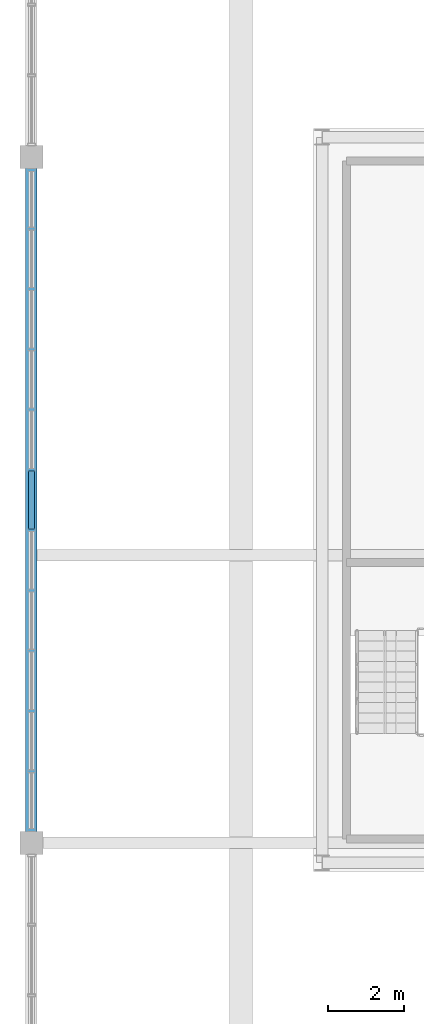
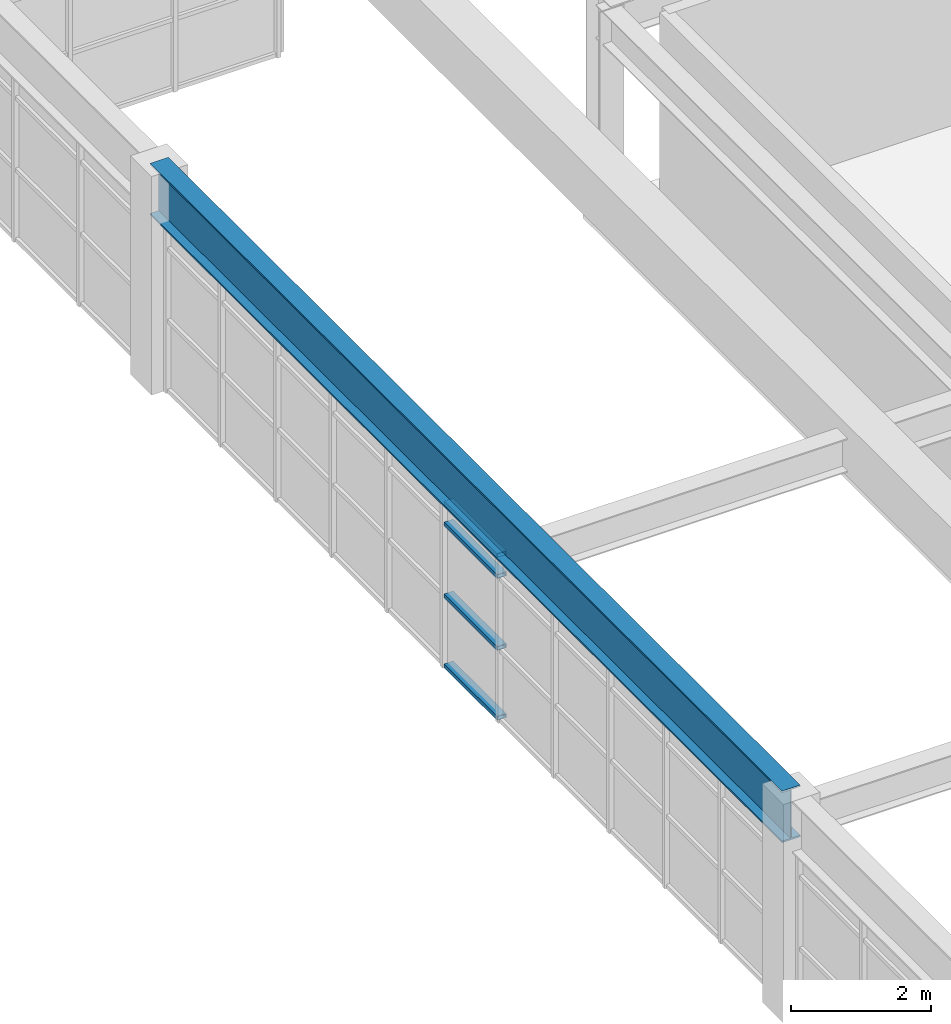
# One storey, part 10 of 28: 4 members, 1 beam, 1 element without a shape of its own.
"""IFC4 building model written with IfcOpenShell, lengths in metres."""

from ifc_helpers import new_model, si_unit, direction, frame, origin, origin_2d, place, context, subcontext, project, spatial, hollow_rectangle, i_section, extrude, source, transform, mapped, material, layer, layer_set, material_profile, profile_set, type_object, element, aggregate, save


model = new_model("IFC4")

# Units and contexts
model_context = context("Model", 3, precision=1e-05, world=origin(), true_north=direction((0.0, 1.0)))
body_context = subcontext(model_context, "Body", "Model", "MODEL_VIEW")
ifc_project = project(units=[si_unit("LENGTHUNIT", "METRE"), si_unit("AREAUNIT", "SQUARE_METRE"), si_unit("VOLUMEUNIT", "CUBIC_METRE"), si_unit("PLANEANGLEUNIT", "RADIAN"), si_unit("MASSUNIT", "GRAM", prefix="KILO")], contexts=[model_context])

# Site, building, storey
site_placement = place(None, origin())
site = spatial("IfcSite", under=ifc_project, at=site_placement, CompositionType="ELEMENT")
building_placement = place(site_placement, origin())
building = spatial("IfcBuilding", under=site, at=building_placement, Name="Saelheon Loggia Tower", CompositionType="ELEMENT")
storey_placement = place(building_placement, frame((0.0, 0.0, 271.199951171875)))
storey = spatial("IfcBuildingStorey", under=building, at=storey_placement, Name="CR6", CompositionType="ELEMENT", Elevation=271.199951171875)

# Beam
ifc_material_1 = material(Name="Steel SM355", Category="steel")
ifc_material_profile_1 = material_profile(ifc_material_1, i_section(OverallWidth=0.300048828125, OverallDepth=0.89990234375, WebThickness=0.01611328125, FlangeThickness=0.028076171875, at=origin_2d()), Name="H-900x300x16x28")
ifc_profile_set_1 = profile_set([ifc_material_profile_1], Name="Steel SM355")
beam_type = type_object("IfcBeamType", Name="Beam_PoolGirder_Steel_H900", PredefinedType="BEAM", material=ifc_profile_set_1)
shared_shape_1 = source(origin(), body_context, "Body", "SweptSolid", [
    extrude(i_section(OverallWidth=0.300048828125, OverallDepth=0.89990234375, WebThickness=0.01611328125, FlangeThickness=0.028076171875, at=origin_2d()), origin(), (0.0, 0.0, 1.0), 18.0),
])
beam_placement = place(storey_placement, frame((23.35009765625, 36.0, 3.35009765625), z_axis=(0.0, -1.0, 0.0), x_axis=(1.0, 0.0, 0.0)))
element("IfcBeam", 1, at=beam_placement, inside=storey, type_object=beam_type, Name="CR6 CROWN FRAME Sill Girder 14", PredefinedType="BEAM", context=body_context, shape_type="MappedRepresentation", body=[
    mapped(shared_shape_1, transform((0.0, 0.0, 0.0), scale=1.0)),
])

# Curtain wall, members
ifc_material_2 = material(Name="Bronze-Anodised Aluminium and Fritted Ceramic Screen", Category="aluminium")
ifc_layer = layer(ifc_material_2, 0.219970703125)
ifc_layer_set = layer_set([ifc_layer], Name="Bronze-Anodised Aluminium and Fritted Ceramic Screen")
curtain_wall_type = type_object("IfcCurtainWallType", Name="CW_CrownScreen", PredefinedType="NOTDEFINED", material=ifc_layer_set)
curtain_wall_placement = place(storey_placement, origin())
curtain_wall = element("IfcCurtainWall", 2, at=curtain_wall_placement, inside=storey, type_object=curtain_wall_type, Name="CR6 Crown Screen Curtain Wall 9-2", PredefinedType="NOTDEFINED")
ifc_material_3 = material(Name="Bronze-Anodised Aluminium 6063-T6", Category="aluminium")
ifc_material_profile_2 = material_profile(ifc_material_3, hollow_rectangle(XDim=0.070068359375, YDim=0.14990234375, WallThickness=0.0048828125, at=origin_2d()), Name="RHS-150x70x5")
ifc_profile_set_2 = profile_set([ifc_material_profile_2], Name="Bronze-Anodised Aluminium 6063-T6")
member_type = type_object("IfcMemberType", Name="CW_CrownScreen_Transom", PredefinedType="USERDEFINED", material=ifc_profile_set_2)
shared_shape_2 = source(origin(), body_context, "Body", "SweptSolid", [
    extrude(hollow_rectangle(XDim=0.070068359375, YDim=0.14990234375, WallThickness=0.0048828125, at=origin_2d()), origin(), (0.0, 0.0, 1.0), 1.51171875),
])
member_1_placement = place(storey_placement, frame((23.35009765625, 27.755859375, 0.03515625), z_axis=(0.0, -1.0, 0.0), x_axis=(0.0, 0.0, 1.0)))
member_1 = element("IfcMember", 3, at=member_1_placement, type_object=member_type, Name="CW6 transom 6.1", ObjectType="TRANSOM", PredefinedType="USERDEFINED", context=body_context, shape_type="MappedRepresentation", body=[
    mapped(shared_shape_2, transform((0.0, 0.0, 0.0), scale=1.0)),
])
member_2_placement = place(storey_placement, frame((23.35009765625, 27.755859375, 1.25), z_axis=(0.0, -1.0, 0.0), x_axis=(0.0, 0.0, 1.0)))
member_2 = element("IfcMember", 4, at=member_2_placement, type_object=member_type, Name="CW6 transom 6.2", ObjectType="TRANSOM", PredefinedType="USERDEFINED", context=body_context, shape_type="MappedRepresentation", body=[
    mapped(shared_shape_2, transform((0.0, 0.0, 0.0), scale=1.0)),
])
member_3_placement = place(storey_placement, frame((23.35009765625, 27.755859375, 2.5), z_axis=(0.0, -1.0, 0.0), x_axis=(0.0, 0.0, 1.0)))
member_3 = element("IfcMember", 5, at=member_3_placement, type_object=member_type, Name="CW6 transom 6.3", ObjectType="TRANSOM", PredefinedType="USERDEFINED", context=body_context, shape_type="MappedRepresentation", body=[
    mapped(shared_shape_2, transform((0.0, 0.0, 0.0), scale=1.0)),
])
member_4_placement = place(storey_placement, frame((23.35009765625, 27.755859375, 2.864990234375), z_axis=(0.0, -1.0, 0.0), x_axis=(0.0, 0.0, 1.0)))
member_4 = element("IfcMember", 6, at=member_4_placement, type_object=member_type, Name="CW6 transom 6.4", ObjectType="TRANSOM", PredefinedType="USERDEFINED", context=body_context, shape_type="MappedRepresentation", body=[
    mapped(shared_shape_2, transform((0.0, 0.0, 0.0), scale=1.0)),
])
aggregate(curtain_wall, [member_1, member_2, member_3, member_4])

save(model, "model.ifc")
